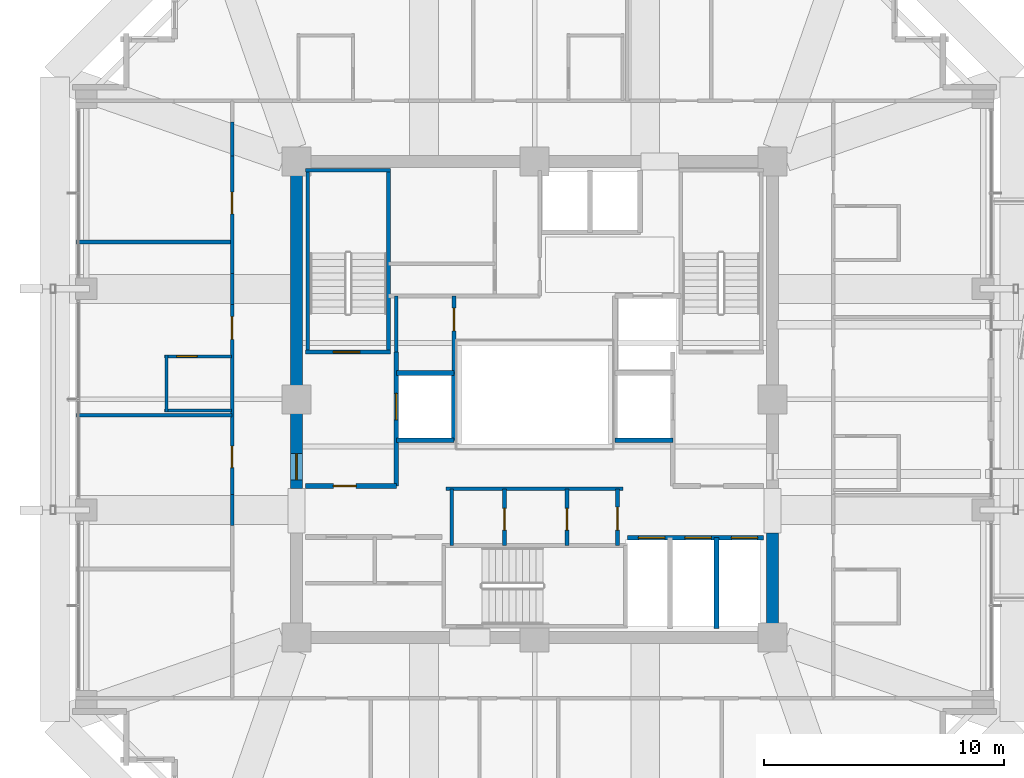
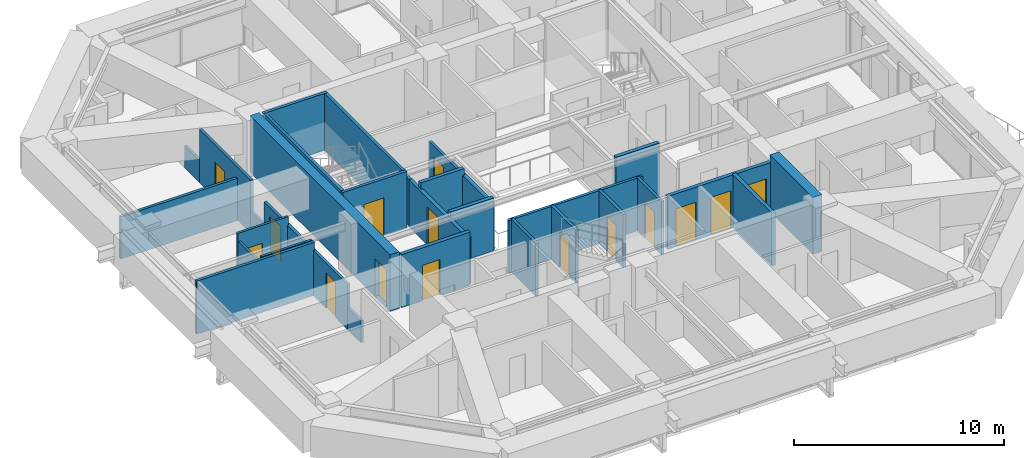
# One storey, part 35 of 40: 31 walls, 15 doors, 15 openings.
"""IFC4 building model written with IfcOpenShell, lengths in metres."""

from ifc_helpers import new_model, si_unit, direction, frame, frame_2d, origin, place, context, subcontext, project, spatial, rectangle, extrude, material, layer, layer_set, type_object, element, fill, save


model = new_model("IFC4")

# Units and contexts
model_context = context("Model", 3, precision=1e-05, world=origin(), true_north=direction((0.0, 1.0)))
body_context = subcontext(model_context, "Body", "Model", "MODEL_VIEW")
ifc_project = project(units=[si_unit("LENGTHUNIT", "METRE"), si_unit("AREAUNIT", "SQUARE_METRE"), si_unit("VOLUMEUNIT", "CUBIC_METRE"), si_unit("PLANEANGLEUNIT", "RADIAN"), si_unit("MASSUNIT", "GRAM", prefix="KILO")], contexts=[model_context])

# Site, building, storey
site_placement = place(None, origin())
site = spatial("IfcSite", under=ifc_project, at=site_placement, CompositionType="ELEMENT")
building_placement = place(site_placement, origin())
building = spatial("IfcBuilding", under=site, at=building_placement, Name="Kolvaren Belvedere", CompositionType="ELEMENT")
storey_placement = place(building_placement, frame((0.0, 0.0, 170.10009765625)))
storey = spatial("IfcBuildingStorey", under=building, at=storey_placement, Name="L49", CompositionType="ELEMENT", Elevation=170.10009765625)

# Wall
ifc_material_1 = material(Name="Concrete C50/60", Category="concrete")
ifc_layer_1 = layer(ifc_material_1, 0.5)
ifc_layer_set_1 = layer_set([ifc_layer_1], Name="Concrete C50/60")
wall_type_1 = type_object("IfcWallType", Name="CW-CORE-500", PredefinedType="SHEAR", material=ifc_layer_set_1)
wall_1_placement = place(storey_placement, frame((9.89990234375, -9.64990234375, 0.0), z_axis=(0.0, 0.0, 1.0), x_axis=(0.0, 1.0, 0.0)))
element("IfcWall", 1, at=wall_1_placement, inside=storey, type_object=wall_type_1, Name="L49 East Core Shear Wall 1", PredefinedType="SHEAR", context=body_context, shape_type="SweptSolid", body=[
    extrude(rectangle(XDim=4.099853515625, YDim=0.5, at=frame_2d((2.0498046875, 0.0))), origin(), (0.0, 0.0, 1.0), 3.2998046875),
])

# Wall, opening, door
wall_2_placement = place(storey_placement, frame((-9.89990234375, -3.699951171875, 0.0), z_axis=(0.0, 0.0, 1.0), x_axis=(0.0, 1.0, 0.0)))
wall_2 = element("IfcWall", 2, at=wall_2_placement, inside=storey, type_object=wall_type_1, Name="L49 West Core Shear Wall 2", PredefinedType="SHEAR", context=body_context, shape_type="SweptSolid", body=[
    extrude(rectangle(XDim=13.349853515625, YDim=0.5, at=frame_2d((6.6748046875, 0.0))), origin(), (0.0, 0.0, 1.0), 3.2998046875),
])
opening_1_placement = place(wall_2_placement, frame((0.35009765625, 0.0, 0.0)))
opening_1 = element("IfcOpeningElement", 3, at=opening_1_placement, cuts=wall_2, Name="Opening D-FD90", PredefinedType="OPENING", context=body_context, shape_type="SweptSolid", body=[
    extrude(rectangle(XDim=1.10009765625, YDim=2.199951171875, at=frame_2d((0.550048828125, 1.10009765625))), frame((0.0, 0.260009765625, 0.0), z_axis=(0.0, -1.0, 0.0), x_axis=(1.0, 0.0, 0.0)), (0.0, 0.0, 1.0), 0.52001953125),
])
ifc_material_2 = material(Name="Painted hollow stainless steel", Category="steel")
door_type_1 = type_object("IfcDoorType", Name="DR-FD90-1100", OperationType="NOTDEFINED", PredefinedType="DOOR", material=ifc_material_2)
door_1_placement = place(opening_1_placement, origin())
door_1 = element("IfcDoor", 4, at=door_1_placement, inside=storey, type_object=door_type_1, Name="L49 West Firefighting Lobby Fire Door", OperationType="SINGLE_SWING_LEFT", OverallHeight=2.199951171875, OverallWidth=1.10009765625, PredefinedType="DOOR", context=body_context, shape_type="SweptSolid", body=[
    extrude(rectangle(XDim=1.10009765625, YDim=2.199951171875, at=frame_2d((0.550048828125, 1.10009765625))), frame((0.0, 0.02490234375, 0.0), z_axis=(0.0, -1.0, 0.0), x_axis=(1.0, 0.0, 0.0)), (0.0, 0.0, 1.0), 0.050048828125),
])
fill(opening_1, door_1)

ifc_material_3 = material(Name="Concrete C50/60", Category="concrete")
ifc_layer_2 = layer(ifc_material_3, 0.159912109375)
ifc_layer_set_2 = layer_set([ifc_layer_2], Name="Concrete C50/60")
wall_type_2 = type_object("IfcWallType", Name="CW-STAIR-160", PredefinedType="SHEAR", material=ifc_layer_set_2)
wall_3_placement = place(storey_placement, frame((-9.52001953125, 1.969970703125, 0.0), z_axis=(0.0, 0.0, 1.0), x_axis=(1.0, 0.0, 0.0)))
wall_3 = element("IfcWall", 5, at=wall_3_placement, inside=storey, type_object=wall_type_2, Name="L49 Stair ST-1 South Shear Wall", PredefinedType="SHEAR", context=body_context, shape_type="SweptSolid", body=[
    extrude(rectangle(XDim=3.52001953125, YDim=0.159912109375, at=frame_2d((1.760009765625, 0.0))), origin(), (0.0, 0.0, 1.0), 3.2998046875),
])
opening_2_placement = place(wall_3_placement, frame((1.14990234375, 0.0, 0.0)))
opening_2 = element("IfcOpeningElement", 6, at=opening_2_placement, cuts=wall_3, Name="Opening D-FD90", PredefinedType="OPENING", context=body_context, shape_type="SweptSolid", body=[
    extrude(rectangle(XDim=1.10009765625, YDim=2.199951171875, at=frame_2d((0.550048828125, 1.10009765625))), frame((0.0, 0.08984375, 0.0), z_axis=(0.0, -1.0, 0.0), x_axis=(1.0, 0.0, 0.0)), (0.0, 0.0, 1.0), 0.179931640625),
])
door_2_placement = place(opening_2_placement, origin())
door_2 = element("IfcDoor", 7, at=door_2_placement, inside=storey, type_object=door_type_1, Name="L49 Stair ST-1 Fire Door", OperationType="SINGLE_SWING_LEFT", OverallHeight=2.199951171875, OverallWidth=1.10009765625, PredefinedType="DOOR", context=body_context, shape_type="SweptSolid", body=[
    extrude(rectangle(XDim=1.10009765625, YDim=2.199951171875, at=frame_2d((0.550048828125, 1.10009765625))), frame((0.0, 0.02490234375, 0.0), z_axis=(0.0, -1.0, 0.0), x_axis=(1.0, 0.0, 0.0)), (0.0, 0.0, 1.0), 0.050048828125),
])
fill(opening_2, door_2)

# Walls
wall_4_placement = place(storey_placement, frame((-9.52001953125, 9.530029296875, 0.0), z_axis=(0.0, 0.0, 1.0), x_axis=(1.0, 0.0, 0.0)))
element("IfcWall", 8, at=wall_4_placement, inside=storey, type_object=wall_type_2, Name="L49 Stair ST-1 North Shear Wall", PredefinedType="SHEAR", context=body_context, shape_type="SweptSolid", body=[
    extrude(rectangle(XDim=3.52001953125, YDim=0.159912109375, at=frame_2d((1.760009765625, 0.0))), origin(), (0.0, 0.0, 1.0), 3.2998046875),
])
for number, where, z_axis, x_axis, name in (
    (9, (-9.429931640625, 1.969970703125, 0.0), (0.0, 0.0, 1.0), (0.0, 1.0, 0.0), "L49 Stair ST-1 West Shear Wall"),
    (10, (-6.080078125, 1.969970703125, 0.0), (0.0, 0.0, 1.0), (0.0, 1.0, 0.0), "L49 Stair ST-1 East Shear Wall"),
):
    element("IfcWall", number, at=place(storey_placement, frame(where, z_axis=z_axis, x_axis=x_axis)), inside=storey, type_object=wall_type_2, Name=name, PredefinedType="SHEAR", context=body_context, shape_type="SweptSolid", body=[
        extrude(rectangle(XDim=7.56005859375, YDim=0.159912109375, at=frame_2d((3.780029296875, 0.0))), origin(), (0.0, 0.0, 1.0), 3.2998046875),
    ])
ifc_material_4 = material(Name="Gypsum fire-rated partition assembly", Category="gypsum")
ifc_layer_3 = layer(ifc_material_4, 0.14990234375)
ifc_layer_set_3 = layer_set([ifc_layer_3], Name="Gypsum fire-rated partition assembly")
wall_type_3 = type_object("IfcWallType", Name="WL-CORR-150", PredefinedType="PARTITIONING", material=ifc_layer_set_3)
wall_5_placement = place(storey_placement, frame((-12.580078125, -5.241943359375, 0.0), z_axis=(0.0, 0.0, 1.0), x_axis=(0.0, 1.0, 0.0)))
element("IfcWall", 11, at=wall_5_placement, inside=storey, type_object=wall_type_3, Name="L49 West Corridor Wall", PredefinedType="PARTITIONING", context=body_context, shape_type="SweptSolid", body=[
    extrude(rectangle(XDim=1.283935546875, YDim=0.14990234375, at=frame_2d((0.64208984375, 0.0))), origin(), (0.0, 0.0, 1.0), 1.264892578125),
])

# Wall, openings, doors
wall_6_placement = place(storey_placement, frame((-12.580078125, -3.9580078125, 0.0), z_axis=(0.0, 0.0, 1.0), x_axis=(0.0, 1.0, 0.0)))
wall_6 = element("IfcWall", 12, at=wall_6_placement, inside=storey, type_object=wall_type_3, Name="L49 West Corridor Wall", PredefinedType="PARTITIONING", context=body_context, shape_type="SweptSolid", body=[
    extrude(rectangle(XDim=7.916015625, YDim=0.14990234375, at=frame_2d((3.9580078125, 0.0))), origin(), (0.0, 0.0, 1.0), 2.60498046875),
])
opening_3_placement = place(wall_6_placement, frame((1.119873046875, 0.0, 0.0)))
opening_3 = element("IfcOpeningElement", 13, at=opening_3_placement, cuts=wall_6, Name="Opening D-INT90", PredefinedType="OPENING", context=body_context, shape_type="SweptSolid", body=[
    extrude(rectangle(XDim=0.89990234375, YDim=2.06005859375, at=frame_2d((0.449951171875, 1.030029296875))), frame((0.0, 0.0849609375, 0.0), z_axis=(0.0, -1.0, 0.0), x_axis=(1.0, 0.0, 0.0)), (0.0, 0.0, 1.0), 0.169921875),
])
opening_4_placement = place(wall_6_placement, frame((6.45458984375, 0.0, 0.0)))
opening_4 = element("IfcOpeningElement", 14, at=opening_4_placement, cuts=wall_6, Name="Opening D-FD60", PredefinedType="OPENING", context=body_context, shape_type="SweptSolid", body=[
    extrude(rectangle(XDim=0.949951171875, YDim=2.06005859375, at=frame_2d((0.47509765625, 1.030029296875))), frame((0.0, 0.0849609375, 0.0), z_axis=(0.0, -1.0, 0.0), x_axis=(1.0, 0.0, 0.0)), (0.0, 0.0, 1.0), 0.169921875),
])
ifc_material_5 = material(Name="Acoustic white-oak fire door leaf", Category="timber")
door_type_2 = type_object("IfcDoorType", Name="DR-FD60-950", OperationType="NOTDEFINED", PredefinedType="DOOR", material=ifc_material_5)
door_3_placement = place(opening_4_placement, origin())
door_3 = element("IfcDoor", 15, at=door_3_placement, inside=storey, type_object=door_type_2, Name="L49 Botanical Hospitality Suite 4909 Entry Door", OperationType="SINGLE_SWING_LEFT", OverallHeight=2.06005859375, OverallWidth=0.949951171875, PredefinedType="DOOR", context=body_context, shape_type="SweptSolid", body=[
    extrude(rectangle(XDim=0.949951171875, YDim=2.06005859375, at=frame_2d((0.47509765625, 1.030029296875))), frame((0.0, 0.02490234375, 0.0), z_axis=(0.0, -1.0, 0.0), x_axis=(1.0, 0.0, 0.0)), (0.0, 0.0, 1.0), 0.050048828125),
])
fill(opening_4, door_3)
ifc_material_6 = material(Name="Stained Pacific white oak", Category="timber")
door_type_3 = type_object("IfcDoorType", Name="DR-INT-900", OperationType="NOTDEFINED", PredefinedType="DOOR", material=ifc_material_6)
door_4_placement = place(opening_3_placement, origin())
door_4 = element("IfcDoor", 16, at=door_4_placement, inside=storey, type_object=door_type_3, Name="L49 Lounge 4908 Door", OperationType="SINGLE_SWING_LEFT", OverallHeight=2.06005859375, OverallWidth=0.89990234375, PredefinedType="DOOR", context=body_context, shape_type="SweptSolid", body=[
    extrude(rectangle(XDim=0.89990234375, YDim=2.06005859375, at=frame_2d((0.449951171875, 1.030029296875))), frame((0.0, 0.02490234375, 0.0), z_axis=(0.0, -1.0, 0.0), x_axis=(1.0, 0.0, 0.0)), (0.0, 0.0, 1.0), 0.050048828125),
])
fill(opening_3, door_4)

# Wall
wall_7_placement = place(storey_placement, frame((-12.580078125, 3.9580078125, 0.0), z_axis=(0.0, 0.0, 1.0), x_axis=(0.0, 1.0, 0.0)))
element("IfcWall", 17, at=wall_7_placement, inside=storey, type_object=wall_type_3, Name="L49 West Corridor Wall", PredefinedType="PARTITIONING", context=body_context, shape_type="SweptSolid", body=[
    extrude(rectangle(XDim=1.283935546875, YDim=0.14990234375, at=frame_2d((0.64208984375, 0.0))), origin(), (0.0, 0.0, 1.0), 1.264892578125),
])

# Wall, opening, door
wall_8_placement = place(storey_placement, frame((-12.580078125, 5.241943359375, 0.0), z_axis=(0.0, 0.0, 1.0), x_axis=(0.0, 1.0, 0.0)))
wall_8 = element("IfcWall", 18, at=wall_8_placement, inside=storey, type_object=wall_type_3, Name="L49 West Corridor Wall", PredefinedType="PARTITIONING", context=body_context, shape_type="SweptSolid", body=[
    extrude(rectangle(XDim=4.883056640625, YDim=0.14990234375, at=frame_2d((2.44140625, 0.0))), origin(), (0.0, 0.0, 1.0), 3.079833984375),
])
opening_5_placement = place(wall_8_placement, frame((2.477294921875, 0.0, 0.0)))
opening_5 = element("IfcOpeningElement", 19, at=opening_5_placement, cuts=wall_8, Name="Opening D-INT90", PredefinedType="OPENING", context=body_context, shape_type="SweptSolid", body=[
    extrude(rectangle(XDim=0.89990234375, YDim=2.06005859375, at=frame_2d((0.449951171875, 1.030029296875))), frame((0.0, 0.0849609375, 0.0), z_axis=(0.0, -1.0, 0.0), x_axis=(1.0, 0.0, 0.0)), (0.0, 0.0, 1.0), 0.169921875),
])
door_5_placement = place(opening_5_placement, origin())
door_5 = element("IfcDoor", 20, at=door_5_placement, inside=storey, type_object=door_type_3, Name="L49 Lounge 4910 Door", OperationType="SINGLE_SWING_RIGHT", OverallHeight=2.06005859375, OverallWidth=0.89990234375, PredefinedType="DOOR", context=body_context, shape_type="SweptSolid", body=[
    extrude(rectangle(XDim=0.89990234375, YDim=2.06005859375, at=frame_2d((0.449951171875, 1.030029296875))), frame((0.0, 0.02490234375, 0.0), z_axis=(0.0, -1.0, 0.0), x_axis=(1.0, 0.0, 0.0)), (0.0, 0.0, 1.0), 0.050048828125),
])
fill(opening_5, door_5)

# Walls
wall_9_placement = place(storey_placement, frame((-12.580078125, 10.125, 0.0), z_axis=(0.0, 0.0, 1.0), x_axis=(0.0, 1.0, 0.0)))
element("IfcWall", 21, at=wall_9_placement, inside=storey, type_object=wall_type_3, Name="L49 West Corridor Wall", PredefinedType="PARTITIONING", context=body_context, shape_type="SweptSolid", body=[
    extrude(rectangle(XDim=1.416748046875, YDim=0.14990234375, at=frame_2d((0.70849609375, 0.0))), origin(), (0.0, 0.0, 1.0), 1.264892578125),
])
ifc_material_7 = material(Name="Gypsum acoustic partition assembly", Category="gypsum")
ifc_layer_4 = layer(ifc_material_7, 0.14990234375)
ifc_layer_set_4 = layer_set([ifc_layer_4], Name="Gypsum acoustic partition assembly")
wall_type_4 = type_object("IfcWallType", Name="WL-PART-150", PredefinedType="PARTITIONING", material=ifc_layer_set_4)
wall_10_placement = place(storey_placement, frame((-3.679931640625, -3.719970703125, 0.0), z_axis=(0.0, 0.0, 1.0), x_axis=(1.0, 0.0, 0.0)))
element("IfcWall", 22, at=wall_10_placement, inside=storey, type_object=wall_type_4, Name="L49 South Core Service North Wall", PredefinedType="PARTITIONING", context=body_context, shape_type="SweptSolid", body=[
    extrude(rectangle(XDim=7.35986328125, YDim=0.14990234375, at=frame_2d((3.679931640625, 0.0))), origin(), (0.0, 0.0, 1.0), 3.079833984375),
])

# Wall, opening, door
wall_11_placement = place(storey_placement, frame((3.449951171875, -6.080078125, 0.0), z_axis=(0.0, 0.0, 1.0), x_axis=(0.0, 1.0, 0.0)))
wall_11 = element("IfcWall", 23, at=wall_11_placement, inside=storey, type_object=wall_type_4, Name="L49 South Core Service East Wall", PredefinedType="PARTITIONING", context=body_context, shape_type="SweptSolid", body=[
    extrude(rectangle(XDim=2.360107421875, YDim=0.14990234375, at=frame_2d((1.18017578125, 0.0))), origin(), (0.0, 0.0, 1.0), 3.079833984375),
])
opening_6_placement = place(wall_11_placement, frame((0.64990234375, 0.0, 0.0)))
opening_6 = element("IfcOpeningElement", 24, at=opening_6_placement, cuts=wall_11, Name="Opening D-FD60", PredefinedType="OPENING", context=body_context, shape_type="SweptSolid", body=[
    extrude(rectangle(XDim=0.949951171875, YDim=2.06005859375, at=frame_2d((0.47509765625, 1.030029296875))), frame((0.0, 0.0849609375, 0.0), z_axis=(0.0, -1.0, 0.0), x_axis=(1.0, 0.0, 0.0)), (0.0, 0.0, 1.0), 0.169921875),
])
door_6_placement = place(opening_6_placement, origin())
door_6 = element("IfcDoor", 25, at=door_6_placement, inside=storey, type_object=door_type_2, Name="L49 Core Service Room Door", OperationType="SINGLE_SWING_LEFT", OverallHeight=2.06005859375, OverallWidth=0.949951171875, PredefinedType="DOOR", context=body_context, shape_type="SweptSolid", body=[
    extrude(rectangle(XDim=0.949951171875, YDim=2.06005859375, at=frame_2d((0.47509765625, 1.030029296875))), frame((0.0, 0.02490234375, 0.0), z_axis=(0.0, -1.0, 0.0), x_axis=(1.0, 0.0, 0.0)), (0.0, 0.0, 1.0), 0.050048828125),
])
fill(opening_6, door_6)

# Wall
wall_12_placement = place(storey_placement, frame((-3.449951171875, -6.080078125, 0.0), z_axis=(0.0, 0.0, 1.0), x_axis=(0.0, 1.0, 0.0)))
element("IfcWall", 26, at=wall_12_placement, inside=storey, type_object=wall_type_4, Name="L49 South Core Service West Wall", PredefinedType="PARTITIONING", context=body_context, shape_type="SweptSolid", body=[
    extrude(rectangle(XDim=2.360107421875, YDim=0.14990234375, at=frame_2d((1.18017578125, 0.0))), origin(), (0.0, 0.0, 1.0), 3.079833984375),
])

# Wall, opening, door
wall_13_placement = place(storey_placement, frame((1.35009765625, -6.080078125, 0.0), z_axis=(0.0, 0.0, 1.0), x_axis=(0.0, 1.0, 0.0)))
wall_13 = element("IfcWall", 27, at=wall_13_placement, inside=storey, type_object=wall_type_4, Name="L49 Core Service Divider 1", PredefinedType="PARTITIONING", context=body_context, shape_type="SweptSolid", body=[
    extrude(rectangle(XDim=2.360107421875, YDim=0.14990234375, at=frame_2d((1.18017578125, 0.0))), origin(), (0.0, 0.0, 1.0), 3.079833984375),
])
opening_7_placement = place(wall_13_placement, frame((0.64990234375, 0.0, 0.0)))
opening_7 = element("IfcOpeningElement", 28, at=opening_7_placement, cuts=wall_13, Name="Opening D-INT90", PredefinedType="OPENING", context=body_context, shape_type="SweptSolid", body=[
    extrude(rectangle(XDim=0.89990234375, YDim=2.06005859375, at=frame_2d((0.449951171875, 1.030029296875))), frame((0.0, 0.0849609375, 0.0), z_axis=(0.0, -1.0, 0.0), x_axis=(1.0, 0.0, 0.0)), (0.0, 0.0, 1.0), 0.169921875),
])
door_7_placement = place(opening_7_placement, origin())
door_7 = element("IfcDoor", 29, at=door_7_placement, inside=storey, type_object=door_type_3, Name="L49 Data Closet Door", OperationType="SINGLE_SWING_RIGHT", OverallHeight=2.06005859375, OverallWidth=0.89990234375, PredefinedType="DOOR", context=body_context, shape_type="SweptSolid", body=[
    extrude(rectangle(XDim=0.89990234375, YDim=2.06005859375, at=frame_2d((0.449951171875, 1.030029296875))), frame((0.0, 0.02490234375, 0.0), z_axis=(0.0, -1.0, 0.0), x_axis=(1.0, 0.0, 0.0)), (0.0, 0.0, 1.0), 0.050048828125),
])
fill(opening_7, door_7)

wall_14_placement = place(storey_placement, frame((-1.25, -6.080078125, 0.0), z_axis=(0.0, 0.0, 1.0), x_axis=(0.0, 1.0, 0.0)))
wall_14 = element("IfcWall", 30, at=wall_14_placement, inside=storey, type_object=wall_type_4, Name="L49 Core Service Divider 2", PredefinedType="PARTITIONING", context=body_context, shape_type="SweptSolid", body=[
    extrude(rectangle(XDim=2.360107421875, YDim=0.14990234375, at=frame_2d((1.18017578125, 0.0))), origin(), (0.0, 0.0, 1.0), 3.079833984375),
])
opening_8_placement = place(wall_14_placement, frame((0.64990234375, 0.0, 0.0)))
opening_8 = element("IfcOpeningElement", 31, at=opening_8_placement, cuts=wall_14, Name="Opening D-INT90", PredefinedType="OPENING", context=body_context, shape_type="SweptSolid", body=[
    extrude(rectangle(XDim=0.89990234375, YDim=2.06005859375, at=frame_2d((0.449951171875, 1.030029296875))), frame((0.0, 0.0849609375, 0.0), z_axis=(0.0, -1.0, 0.0), x_axis=(1.0, 0.0, 0.0)), (0.0, 0.0, 1.0), 0.169921875),
])
door_8_placement = place(opening_8_placement, origin())
door_8 = element("IfcDoor", 32, at=door_8_placement, inside=storey, type_object=door_type_3, Name="L49 Janitor Room Door", OperationType="SINGLE_SWING_LEFT", OverallHeight=2.06005859375, OverallWidth=0.89990234375, PredefinedType="DOOR", context=body_context, shape_type="SweptSolid", body=[
    extrude(rectangle(XDim=0.89990234375, YDim=2.06005859375, at=frame_2d((0.449951171875, 1.030029296875))), frame((0.0, 0.02490234375, 0.0), z_axis=(0.0, -1.0, 0.0), x_axis=(1.0, 0.0, 0.0)), (0.0, 0.0, 1.0), 0.050048828125),
])
fill(opening_8, door_8)

wall_15_placement = place(storey_placement, frame((-3.35009765625, 1.10009765625, 0.0), z_axis=(0.0, 0.0, 1.0), x_axis=(0.0, 1.0, 0.0)))
wall_15 = element("IfcWall", 33, at=wall_15_placement, inside=storey, type_object=wall_type_4, Name="L49 NW Service Room East Wall", PredefinedType="PARTITIONING", context=body_context, shape_type="SweptSolid", body=[
    extrude(rectangle(XDim=3.199951171875, YDim=0.14990234375, at=frame_2d((1.60009765625, 0.0))), origin(), (0.0, 0.0, 1.0), 2.71484375),
])
opening_9_placement = place(wall_15_placement, frame((1.75, 0.0, 0.0)))
opening_9 = element("IfcOpeningElement", 34, at=opening_9_placement, cuts=wall_15, Name="Opening D-FD60", PredefinedType="OPENING", context=body_context, shape_type="SweptSolid", body=[
    extrude(rectangle(XDim=0.949951171875, YDim=2.06005859375, at=frame_2d((0.47509765625, 1.030029296875))), frame((0.0, 0.0849609375, 0.0), z_axis=(0.0, -1.0, 0.0), x_axis=(1.0, 0.0, 0.0)), (0.0, 0.0, 1.0), 0.169921875),
])
door_9_placement = place(opening_9_placement, origin())
door_9 = element("IfcDoor", 35, at=door_9_placement, inside=storey, type_object=door_type_2, Name="L49 NW Core Store Door", OperationType="SINGLE_SWING_LEFT", OverallHeight=2.06005859375, OverallWidth=0.949951171875, PredefinedType="DOOR", context=body_context, shape_type="SweptSolid", body=[
    extrude(rectangle(XDim=0.949951171875, YDim=2.06005859375, at=frame_2d((0.47509765625, 1.030029296875))), frame((0.0, 0.02490234375, 0.0), z_axis=(0.0, -1.0, 0.0), x_axis=(1.0, 0.0, 0.0)), (0.0, 0.0, 1.0), 0.050048828125),
])
fill(opening_9, door_9)

# Walls
wall_16_placement = place(storey_placement, frame((-5.75, 1.969970703125, 0.0), z_axis=(0.0, 0.0, 1.0), x_axis=(0.0, 1.0, 0.0)))
element("IfcWall", 36, at=wall_16_placement, inside=storey, type_object=wall_type_4, Name="L49 NW Service Room West Wall", PredefinedType="PARTITIONING", context=body_context, shape_type="SweptSolid", body=[
    extrude(rectangle(XDim=2.330078125, YDim=0.14990234375, at=frame_2d((1.1650390625, 0.0))), origin(), (0.0, 0.0, 1.0), 2.71484375),
])
wall_17_placement = place(storey_placement, frame((-19.080078125, -0.652099609375, 0.0), z_axis=(0.0, 0.0, 1.0), x_axis=(1.0, 0.0, 0.0)))
element("IfcWall", 37, at=wall_17_placement, inside=storey, type_object=wall_type_4, Name="L49 West Suite Demising Wall 2", PredefinedType="PARTITIONING", context=body_context, shape_type="SweptSolid", body=[
    extrude(rectangle(XDim=6.5, YDim=0.14990234375, at=frame_2d((3.25, 0.0))), origin(), (0.0, 0.0, 1.0), 3.079833984375),
])
wall_18_placement = place(storey_placement, frame((-19.080078125, 6.548095703125, 0.0), z_axis=(0.0, 0.0, 1.0), x_axis=(1.0, 0.0, 0.0)))
element("IfcWall", 38, at=wall_18_placement, inside=storey, type_object=wall_type_4, Name="L49 West Suite Demising Wall 3", PredefinedType="PARTITIONING", context=body_context, shape_type="SweptSolid", body=[
    extrude(rectangle(XDim=6.5, YDim=0.14990234375, at=frame_2d((3.25, 0.0))), origin(), (0.0, 0.0, 1.0), 2.452880859375),
])

# Wall, opening, door
ifc_material_8 = material(Name="Concrete C50/60", Category="concrete")
ifc_layer_5 = layer(ifc_material_8, 0.199951171875)
ifc_layer_set_5 = layer_set([ifc_layer_5], Name="Concrete C50/60")
wall_type_5 = type_object("IfcWallType", Name="WL-SHAFT-200", PredefinedType="SOLIDWALL", material=ifc_layer_set_5)
wall_19_placement = place(storey_placement, frame((-9.52001953125, -3.60009765625, 0.0), z_axis=(0.0, 0.0, 1.0), x_axis=(1.0, 0.0, 0.0)))
wall_19 = element("IfcWall", 39, at=wall_19_placement, inside=storey, type_object=wall_type_5, Name="L49 West FSAE Lobby South Wall", PredefinedType="SOLIDWALL", context=body_context, shape_type="SweptSolid", body=[
    extrude(rectangle(XDim=3.77001953125, YDim=0.199951171875, at=frame_2d((1.885009765625, 0.0))), origin(), (0.0, 0.0, 1.0), 3.079833984375),
])
opening_10_placement = place(wall_19_placement, frame((1.14990234375, 0.0, 0.0)))
opening_10 = element("IfcOpeningElement", 40, at=opening_10_placement, cuts=wall_19, Name="Opening D-FD60", PredefinedType="OPENING", context=body_context, shape_type="SweptSolid", body=[
    extrude(rectangle(XDim=0.949951171875, YDim=2.06005859375, at=frame_2d((0.47509765625, 1.030029296875))), frame((0.0, 0.10986328125, 0.0), z_axis=(0.0, -1.0, 0.0), x_axis=(1.0, 0.0, 0.0)), (0.0, 0.0, 1.0), 0.219970703125),
])
door_10_placement = place(opening_10_placement, origin())
door_10 = element("IfcDoor", 41, at=door_10_placement, inside=storey, type_object=door_type_2, Name="L49 SW Lobby Fire Door", OperationType="SINGLE_SWING_LEFT", OverallHeight=2.06005859375, OverallWidth=0.949951171875, PredefinedType="DOOR", context=body_context, shape_type="SweptSolid", body=[
    extrude(rectangle(XDim=0.949951171875, YDim=2.06005859375, at=frame_2d((0.47509765625, 1.030029296875))), frame((0.0, 0.02490234375, 0.0), z_axis=(0.0, -1.0, 0.0), x_axis=(1.0, 0.0, 0.0)), (0.0, 0.0, 1.0), 0.050048828125),
])
fill(opening_10, door_10)

wall_20_placement = place(storey_placement, frame((-5.75, -3.60009765625, 0.0), z_axis=(0.0, 0.0, 1.0), x_axis=(0.0, 1.0, 0.0)))
wall_20 = element("IfcWall", 42, at=wall_20_placement, inside=storey, type_object=wall_type_5, Name="L49 FSAE FS1 Landing Wall", PredefinedType="SOLIDWALL", context=body_context, shape_type="SweptSolid", body=[
    extrude(rectangle(XDim=5.570068359375, YDim=0.199951171875, at=frame_2d((2.78515625, 0.0))), origin(), (0.0, 0.0, 1.0), 2.71484375),
])
opening_11_placement = place(wall_20_placement, frame((2.75, 0.0, 0.0)))
opening_11 = element("IfcOpeningElement", 43, at=opening_11_placement, cuts=wall_20, Name="Opening LD-11", PredefinedType="OPENING", context=body_context, shape_type="SweptSolid", body=[
    extrude(rectangle(XDim=1.10009765625, YDim=2.199951171875, at=frame_2d((0.550048828125, 1.10009765625))), frame((0.0, 0.10986328125, 0.0), z_axis=(0.0, -1.0, 0.0), x_axis=(1.0, 0.0, 0.0)), (0.0, 0.0, 1.0), 0.219970703125),
])
ifc_material_9 = material(Name="Brushed stainless steel", Category="steel")
door_type_4 = type_object("IfcDoorType", Name="DR-LIFT-1100", OperationType="DOUBLE_DOOR_SLIDING", PredefinedType="DOOR", material=ifc_material_9)
door_11_placement = place(opening_11_placement, origin())
door_11 = element("IfcDoor", 44, at=door_11_placement, inside=storey, type_object=door_type_4, Name="L49 Firefighting Lift FS1 Landing Door", OperationType="DOUBLE_DOOR_SLIDING", OverallHeight=2.199951171875, OverallWidth=1.10009765625, PredefinedType="DOOR", context=body_context, shape_type="SweptSolid", body=[
    extrude(rectangle(XDim=1.10009765625, YDim=2.199951171875, at=frame_2d((0.550048828125, 1.10009765625))), frame((0.0, 0.02490234375, 0.0), z_axis=(0.0, -1.0, 0.0), x_axis=(1.0, 0.0, 0.0)), (0.0, 0.0, 1.0), 0.050048828125),
])
fill(opening_11, door_11)

# Walls
wall_21_placement = place(storey_placement, frame((-3.35009765625, -1.699951171875, 0.0), z_axis=(0.0, 0.0, 1.0), x_axis=(0.0, 1.0, 0.0)))
element("IfcWall", 45, at=wall_21_placement, inside=storey, type_object=wall_type_5, Name="L49 FSAE FS1 Back Wall", PredefinedType="SOLIDWALL", context=body_context, shape_type="SweptSolid", body=[
    extrude(rectangle(XDim=2.800048828125, YDim=0.199951171875, at=frame_2d((1.39990234375, 0.0))), origin(), (0.0, 0.0, 1.0), 2.71484375),
])
for number, where, z_axis, x_axis, name in (
    (46, (-5.75, -1.699951171875, 0.0), (0.0, 0.0, 1.0), (1.0, 0.0, 0.0), "L49 FSAE FS1 South Wall"),
    (47, (-5.75, 1.10009765625, 0.0), (0.0, 0.0, 1.0), (1.0, 0.0, 0.0), "L49 FSAE FS1 North Wall"),
    (48, (3.35009765625, -1.699951171875, 0.0), (0.0, 0.0, 1.0), (1.0, 0.0, 0.0), "L49 FSAE FS2 South Wall"),
):
    element("IfcWall", number, at=place(storey_placement, frame(where, z_axis=z_axis, x_axis=x_axis)), inside=storey, type_object=wall_type_5, Name=name, PredefinedType="SOLIDWALL", context=body_context, shape_type="SweptSolid", body=[
        extrude(rectangle(XDim=2.39990234375, YDim=0.199951171875, at=frame_2d((1.199951171875, 0.0))), origin(), (0.0, 0.0, 1.0), 3.079833984375),
    ])

# Wall, openings, doors
wall_22_placement = place(storey_placement, frame((3.860107421875, -5.75, 0.0), z_axis=(0.0, 0.0, 1.0), x_axis=(1.0, 0.0, 0.0)))
wall_22 = element("IfcWall", 49, at=wall_22_placement, inside=storey, type_object=wall_type_5, Name="L49 High-Rise Lift Bank Front Wall", PredefinedType="SOLIDWALL", context=body_context, shape_type="SweptSolid", body=[
    extrude(rectangle(XDim=5.659912109375, YDim=0.199951171875, at=frame_2d((2.830078125, 0.0))), origin(), (0.0, 0.0, 1.0), 3.079833984375),
])
opening_12_placement = place(wall_22_placement, frame((0.4599609375, 0.0, 0.0)))
opening_12 = element("IfcOpeningElement", 50, at=opening_12_placement, cuts=wall_22, Name="Opening LD-11", PredefinedType="OPENING", context=body_context, shape_type="SweptSolid", body=[
    extrude(rectangle(XDim=1.10009765625, YDim=2.199951171875, at=frame_2d((0.550048828125, 1.10009765625))), frame((0.0, 0.10986328125, 0.0), z_axis=(0.0, -1.0, 0.0), x_axis=(1.0, 0.0, 0.0)), (0.0, 0.0, 1.0), 0.219970703125),
])
opening_13_placement = place(wall_22_placement, frame((2.389892578125, 0.0, 0.0)))
opening_13 = element("IfcOpeningElement", 51, at=opening_13_placement, cuts=wall_22, Name="Opening LD-11", PredefinedType="OPENING", context=body_context, shape_type="SweptSolid", body=[
    extrude(rectangle(XDim=1.10009765625, YDim=2.199951171875, at=frame_2d((0.550048828125, 1.10009765625))), frame((0.0, 0.10986328125, 0.0), z_axis=(0.0, -1.0, 0.0), x_axis=(1.0, 0.0, 0.0)), (0.0, 0.0, 1.0), 0.219970703125),
])
opening_14_placement = place(wall_22_placement, frame((4.320068359375, 0.0, 0.0)))
opening_14 = element("IfcOpeningElement", 52, at=opening_14_placement, cuts=wall_22, Name="Opening LD-11", PredefinedType="OPENING", context=body_context, shape_type="SweptSolid", body=[
    extrude(rectangle(XDim=1.10009765625, YDim=2.199951171875, at=frame_2d((0.550048828125, 1.10009765625))), frame((0.0, 0.10986328125, 0.0), z_axis=(0.0, -1.0, 0.0), x_axis=(1.0, 0.0, 0.0)), (0.0, 0.0, 1.0), 0.219970703125),
])
door_12_placement = place(opening_12_placement, origin())
door_12 = element("IfcDoor", 53, at=door_12_placement, inside=storey, type_object=door_type_4, Name="L49 Passenger Lift P7 Landing Door", OperationType="DOUBLE_DOOR_SLIDING", OverallHeight=2.199951171875, OverallWidth=1.10009765625, PredefinedType="DOOR", context=body_context, shape_type="SweptSolid", body=[
    extrude(rectangle(XDim=1.10009765625, YDim=2.199951171875, at=frame_2d((0.550048828125, 1.10009765625))), frame((0.0, 0.02490234375, 0.0), z_axis=(0.0, -1.0, 0.0), x_axis=(1.0, 0.0, 0.0)), (0.0, 0.0, 1.0), 0.050048828125),
])
fill(opening_12, door_12)
door_13_placement = place(opening_13_placement, origin())
door_13 = element("IfcDoor", 54, at=door_13_placement, inside=storey, type_object=door_type_4, Name="L49 Passenger Lift P8 Landing Door", OperationType="DOUBLE_DOOR_SLIDING", OverallHeight=2.199951171875, OverallWidth=1.10009765625, PredefinedType="DOOR", context=body_context, shape_type="SweptSolid", body=[
    extrude(rectangle(XDim=1.10009765625, YDim=2.199951171875, at=frame_2d((0.550048828125, 1.10009765625))), frame((0.0, 0.02490234375, 0.0), z_axis=(0.0, -1.0, 0.0), x_axis=(1.0, 0.0, 0.0)), (0.0, 0.0, 1.0), 0.050048828125),
])
fill(opening_13, door_13)
door_14_placement = place(opening_14_placement, origin())
door_14 = element("IfcDoor", 55, at=door_14_placement, inside=storey, type_object=door_type_4, Name="L49 Passenger Lift P9 Landing Door", OperationType="DOUBLE_DOOR_SLIDING", OverallHeight=2.199951171875, OverallWidth=1.10009765625, PredefinedType="DOOR", context=body_context, shape_type="SweptSolid", body=[
    extrude(rectangle(XDim=1.10009765625, YDim=2.199951171875, at=frame_2d((0.550048828125, 1.10009765625))), frame((0.0, 0.02490234375, 0.0), z_axis=(0.0, -1.0, 0.0), x_axis=(1.0, 0.0, 0.0)), (0.0, 0.0, 1.0), 0.050048828125),
])
fill(opening_14, door_14)

# Wall
wall_23_placement = place(storey_placement, frame((7.56005859375, -9.52001953125, 0.0), z_axis=(0.0, 0.0, 1.0), x_axis=(0.0, 1.0, 0.0)))
element("IfcWall", 56, at=wall_23_placement, inside=storey, type_object=wall_type_5, Name="L49 High-Rise Hoistway Divider 2", PredefinedType="SOLIDWALL", context=body_context, shape_type="SweptSolid", body=[
    extrude(rectangle(XDim=3.77001953125, YDim=0.199951171875, at=frame_2d((1.885009765625, 0.0))), origin(), (0.0, 0.0, 1.0), 3.079833984375),
])

# Wall, opening, door
ifc_material_10 = material(Name="Moisture-resistant gypsum partition", Category="gypsum")
ifc_layer_6 = layer(ifc_material_10, 0.125)
ifc_layer_set_6 = layer_set([ifc_layer_6], Name="Moisture-resistant gypsum partition")
wall_type_6 = type_object("IfcWallType", Name="WL-WET-125", PredefinedType="PARTITIONING", material=ifc_layer_set_6)
wall_24_placement = place(storey_placement, frame((-15.385009765625, 1.79296875, 0.0), z_axis=(0.0, 0.0, 1.0), x_axis=(1.0, 0.0, 0.0)))
wall_24 = element("IfcWall", 57, at=wall_24_placement, inside=storey, type_object=wall_type_6, Name="L49 Bathroom Partition PW-L49-BTH-9-N", PredefinedType="PARTITIONING", context=body_context, shape_type="SweptSolid", body=[
    extrude(rectangle(XDim=2.7900390625, YDim=0.125, at=frame_2d((1.39501953125, 0.0))), origin(), (0.0, 0.0, 1.0), 3.079833984375),
])
opening_15_placement = place(wall_24_placement, frame((0.5, 0.0, 0.0)))
opening_15 = element("IfcOpeningElement", 58, at=opening_15_placement, cuts=wall_24, Name="Opening D-BTH85", PredefinedType="OPENING", context=body_context, shape_type="SweptSolid", body=[
    extrude(rectangle(XDim=0.85009765625, YDim=2.030029296875, at=frame_2d((0.425048828125, 1.01513671875))), frame((0.0, 0.072509765625, 0.0), z_axis=(0.0, -1.0, 0.0), x_axis=(1.0, 0.0, 0.0)), (0.0, 0.0, 1.0), 0.14501953125),
])
ifc_material_11 = material(Name="Moisture-sealed Pacific white oak", Category="timber")
door_type_5 = type_object("IfcDoorType", Name="DR-BATH-850", OperationType="NOTDEFINED", PredefinedType="DOOR", material=ifc_material_11)
door_15_placement = place(opening_15_placement, origin())
door_15 = element("IfcDoor", 59, at=door_15_placement, inside=storey, type_object=door_type_5, Name="L49 En-Suite Bathroom 4909 Door", OperationType="SINGLE_SWING_RIGHT", OverallHeight=2.030029296875, OverallWidth=0.85009765625, PredefinedType="DOOR", context=body_context, shape_type="SweptSolid", body=[
    extrude(rectangle(XDim=0.85009765625, YDim=2.030029296875, at=frame_2d((0.425048828125, 1.01513671875))), frame((0.0, 0.02490234375, 0.0), z_axis=(0.0, -1.0, 0.0), x_axis=(1.0, 0.0, 0.0)), (0.0, 0.0, 1.0), 0.050048828125),
])
fill(opening_15, door_15)

# Walls
wall_25_placement = place(storey_placement, frame((-15.304931640625, -0.51708984375, 0.0), z_axis=(0.0, 0.0, 1.0), x_axis=(0.0, 1.0, 0.0)))
element("IfcWall", 60, at=wall_25_placement, inside=storey, type_object=wall_type_6, Name="L49 Bathroom Partition PW-L49-BTH-9-V", PredefinedType="PARTITIONING", context=body_context, shape_type="SweptSolid", body=[
    extrude(rectangle(XDim=2.3701171875, YDim=0.125, at=frame_2d((1.18505859375, 0.0))), origin(), (0.0, 0.0, 1.0), 2.60498046875),
])
wall_26_placement = place(storey_placement, frame((-15.385009765625, -0.45703125, 0.0), z_axis=(0.0, 0.0, 1.0), x_axis=(1.0, 0.0, 0.0)))
element("IfcWall", 61, at=wall_26_placement, inside=storey, type_object=wall_type_6, Name="L49 Bathroom Partition PW-L49-BTH-9-S", PredefinedType="PARTITIONING", context=body_context, shape_type="SweptSolid", body=[
    extrude(rectangle(XDim=2.7900390625, YDim=0.125, at=frame_2d((1.39501953125, 0.0))), origin(), (0.0, 0.0, 1.0), 3.079833984375),
])

save(model, "model.ifc")
